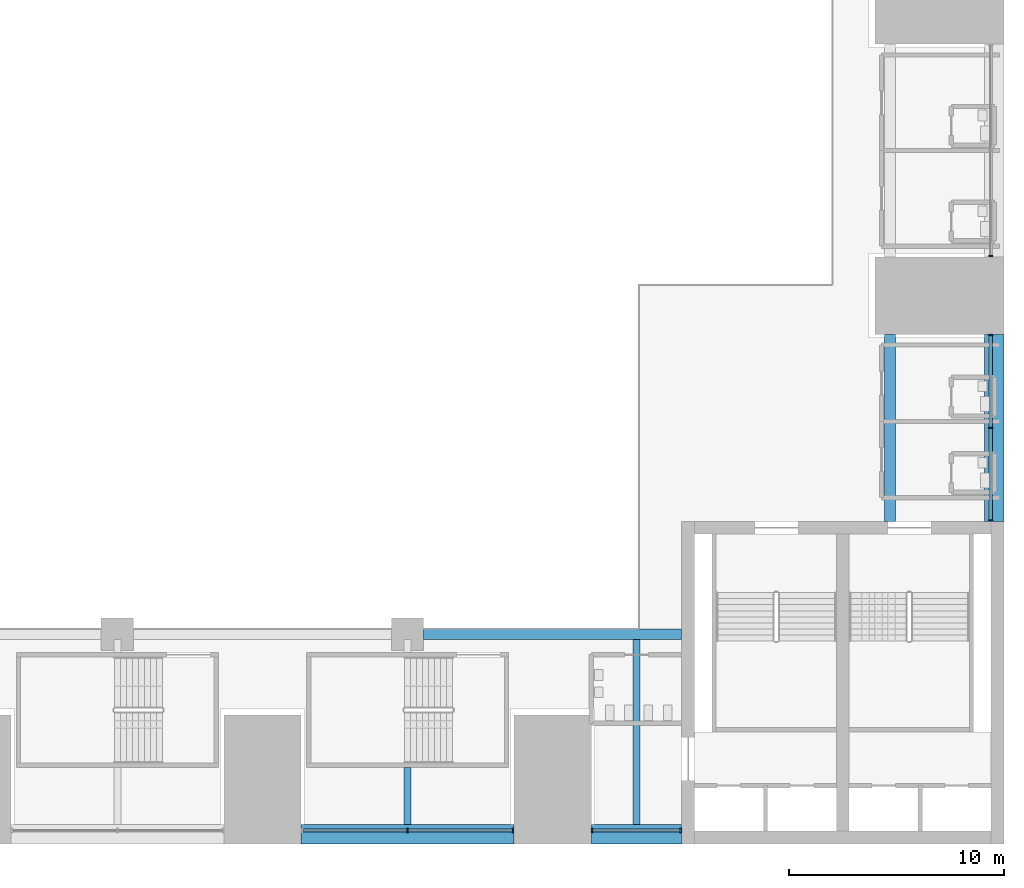
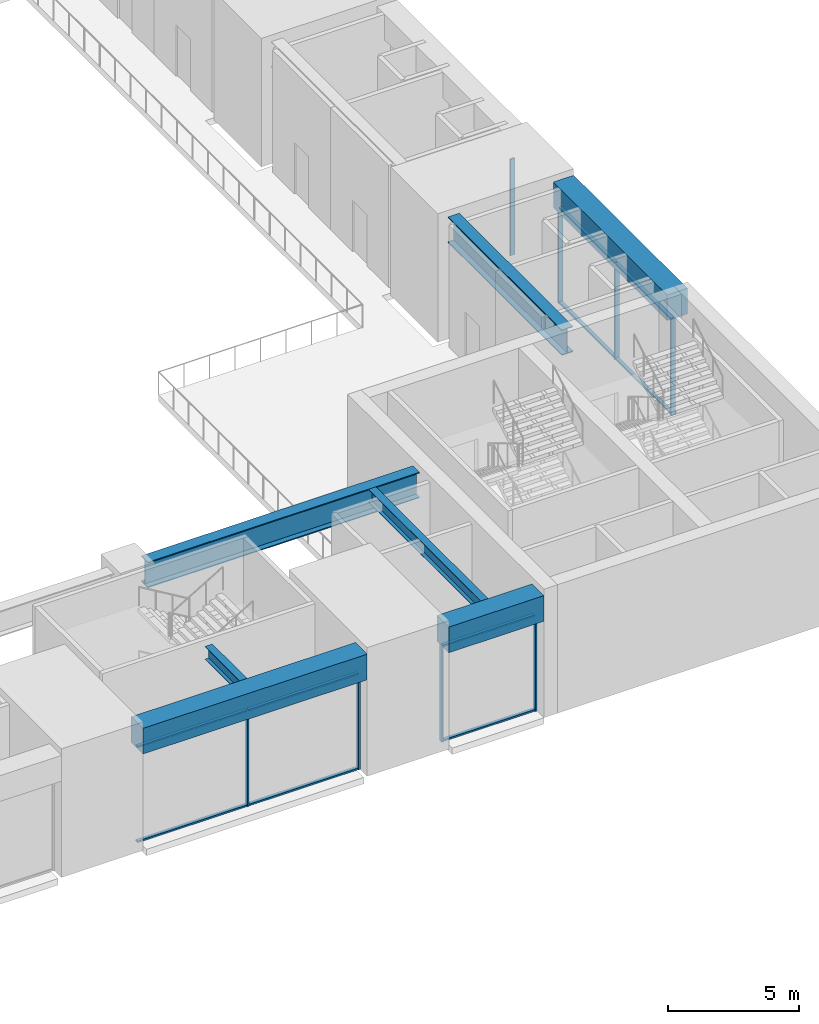
# One storey, part 6 of 43: 18 members, 7 beams, 4 elements without a shape of their own.
"""IFC4 building model written with IfcOpenShell, lengths in metres."""

from ifc_helpers import new_model, si_unit, direction, frame, origin, origin_2d, place, context, subcontext, project, spatial, rectangle, i_section, extrude, material, layer, layer_set, material_profile, profile_set, type_object, element, aggregate, save


model = new_model("IFC4")

# Units and contexts
model_context = context("Model", 3, precision=1e-05, world=origin(), true_north=direction((0.0, 1.0)))
body_context = subcontext(model_context, "Body", "Model", "MODEL_VIEW")
ifc_project = project(units=[si_unit("LENGTHUNIT", "METRE"), si_unit("AREAUNIT", "SQUARE_METRE"), si_unit("VOLUMEUNIT", "CUBIC_METRE"), si_unit("PLANEANGLEUNIT", "RADIAN"), si_unit("MASSUNIT", "GRAM", prefix="KILO")], contexts=[model_context])

# Site, building, storey
site_placement = place(None, origin())
site = spatial("IfcSite", under=ifc_project, at=site_placement, CompositionType="ELEMENT")
building_placement = place(site_placement, origin())
building = spatial("IfcBuilding", under=site, at=building_placement, Name="Corbelhall Arena Tower", CompositionType="ELEMENT")
storey_placement = place(building_placement, frame((0.0, 0.0, 25.0)))
storey = spatial("IfcBuildingStorey", under=building, at=storey_placement, Name="L03", CompositionType="ELEMENT", Elevation=25.0)

# Curtain wall, members
ifc_material_1 = material(Name="Aluminium black anodised", Category="aluminium")
ifc_layer = layer(ifc_material_1, 0.239990234375)
ifc_layer_set = layer_set([ifc_layer], Name="EV-CW4 Arena concourse glazing")
curtain_wall_type = type_object("IfcCurtainWallType", Name="EV-CW4 Arena concourse glazing", PredefinedType="NOTDEFINED", material=ifc_layer_set)
curtain_wall_1_placement = place(storey_placement, origin())
curtain_wall_1 = element("IfcCurtainWall", 1, at=curtain_wall_1_placement, inside=storey, type_object=curtain_wall_type, Name="Curtain wall CW4", PredefinedType="NOTDEFINED")
ifc_material_profile_1 = material_profile(ifc_material_1, rectangle(XDim=0.199951171875, YDim=0.074951171875, at=origin_2d()))
ifc_profile_set_1 = profile_set([ifc_material_profile_1], Name="Aluminium black anodised")
member_type_1 = type_object("IfcMemberType", Name="EV-CW4-MULLION", PredefinedType="MULLION", material=ifc_profile_set_1)
member_1_placement = place(storey_placement, frame((20.25, -38.3798828125, 0.0), z_axis=(0.0, 0.0, 1.0), x_axis=(0.0, 1.0, 0.0)))
member_1 = element("IfcMember", 2, at=member_1_placement, type_object=member_type_1, Name="CW4 mullion 2", PredefinedType="MULLION", context=body_context, shape_type="SweptSolid", body=[
    extrude(rectangle(XDim=0.199951171875, YDim=0.074951171875, at=origin_2d()), origin(), (0.0, 0.0, 1.0), 4.5),
])
member_2_placement = place(storey_placement, frame((25.16259765625, -38.3798828125, 0.0), z_axis=(0.0, 0.0, 1.0), x_axis=(0.0, 1.0, 0.0)))
member_2 = element("IfcMember", 3, at=member_2_placement, type_object=member_type_1, Name="CW4 mullion 3", PredefinedType="MULLION", context=body_context, shape_type="SweptSolid", body=[
    extrude(rectangle(XDim=0.199951171875, YDim=0.074951171875, at=origin_2d()), origin(), (0.0, 0.0, 1.0), 4.5),
])

curtain_wall_2_placement = place(storey_placement, origin())
curtain_wall_2 = element("IfcCurtainWall", 4, at=curtain_wall_2_placement, inside=storey, type_object=curtain_wall_type, Name="Curtain wall CW4A", PredefinedType="NOTDEFINED")
member_3_placement = place(storey_placement, frame((28.83740234375, -38.3798828125, 0.0), z_axis=(0.0, 0.0, 1.0), x_axis=(0.0, 1.0, 0.0)))
member_3 = element("IfcMember", 5, at=member_3_placement, type_object=member_type_1, Name="CW4A mullion 1", PredefinedType="MULLION", context=body_context, shape_type="SweptSolid", body=[
    extrude(rectangle(XDim=0.199951171875, YDim=0.074951171875, at=origin_2d()), origin(), (0.0, 0.0, 1.0), 4.5),
])
member_4_placement = place(storey_placement, frame((32.96240234375, -38.3798828125, 0.0), z_axis=(0.0, 0.0, 1.0), x_axis=(0.0, 1.0, 0.0)))
member_4 = element("IfcMember", 6, at=member_4_placement, type_object=member_type_1, Name="CW4A mullion 2", PredefinedType="MULLION", context=body_context, shape_type="SweptSolid", body=[
    extrude(rectangle(XDim=0.199951171875, YDim=0.074951171875, at=origin_2d()), origin(), (0.0, 0.0, 1.0), 4.5),
])

curtain_wall_3_placement = place(storey_placement, origin())
curtain_wall_3 = element("IfcCurtainWall", 7, at=curtain_wall_3_placement, inside=storey, type_object=curtain_wall_type, Name="Curtain wall CW4B", PredefinedType="NOTDEFINED")
member_5_placement = place(storey_placement, frame((47.3798828125, -23.96240234375, 0.0), z_axis=(0.0, 0.0, 1.0), x_axis=(-1.0, 0.0, 0.0)))
member_5 = element("IfcMember", 8, at=member_5_placement, type_object=member_type_1, Name="CW4B mullion 1", PredefinedType="MULLION", context=body_context, shape_type="SweptSolid", body=[
    extrude(rectangle(XDim=0.199951171875, YDim=0.074951171875, at=origin_2d()), origin(), (0.0, 0.0, 1.0), 4.5),
])
member_6_placement = place(storey_placement, frame((47.3798828125, -19.64990234375, 0.0), z_axis=(0.0, 0.0, 1.0), x_axis=(-1.0, 0.0, 0.0)))
member_6 = element("IfcMember", 9, at=member_6_placement, type_object=member_type_1, Name="CW4B mullion 2", PredefinedType="MULLION", context=body_context, shape_type="SweptSolid", body=[
    extrude(rectangle(XDim=0.199951171875, YDim=0.074951171875, at=origin_2d()), origin(), (0.0, 0.0, 1.0), 4.5),
])
member_7_placement = place(storey_placement, frame((47.3798828125, -15.33740234375, 0.0), z_axis=(0.0, 0.0, 1.0), x_axis=(-1.0, 0.0, 0.0)))
member_7 = element("IfcMember", 10, at=member_7_placement, type_object=member_type_1, Name="CW4B mullion 3", PredefinedType="MULLION", context=body_context, shape_type="SweptSolid", body=[
    extrude(rectangle(XDim=0.199951171875, YDim=0.074951171875, at=origin_2d()), origin(), (0.0, 0.0, 1.0), 4.5),
])

# Curtain wall, member
curtain_wall_4_placement = place(storey_placement, origin())
curtain_wall_4 = element("IfcCurtainWall", 11, at=curtain_wall_4_placement, inside=storey, type_object=curtain_wall_type, Name="Curtain wall CW4", PredefinedType="NOTDEFINED")
member_8_placement = place(storey_placement, frame((47.3798828125, -11.66259765625, 0.0), z_axis=(0.0, 0.0, 1.0), x_axis=(-1.0, 0.0, 0.0)))
member_8 = element("IfcMember", 12, at=member_8_placement, type_object=member_type_1, Name="CW4 mullion 1", PredefinedType="MULLION", context=body_context, shape_type="SweptSolid", body=[
    extrude(rectangle(XDim=0.199951171875, YDim=0.074951171875, at=origin_2d()), origin(), (0.0, 0.0, 1.0), 4.5),
])
aggregate(curtain_wall_4, [member_8])

# Member
ifc_material_profile_2 = material_profile(ifc_material_1, rectangle(XDim=0.14990234375, YDim=0.074951171875, at=origin_2d()))
ifc_profile_set_2 = profile_set([ifc_material_profile_2], Name="Aluminium black anodised")
member_type_2 = type_object("IfcMemberType", Name="EV-CW4-TRANSOM", PredefinedType="USERDEFINED", material=ifc_profile_set_2)
member_9_placement = place(storey_placement, frame((15.375, -38.3798828125, 0.03759765625), z_axis=(1.0, 0.0, 0.0), x_axis=(0.0, 1.0, 0.0)))
member_9 = element("IfcMember", 13, at=member_9_placement, type_object=member_type_2, Name="CW4 transom 1.1", ObjectType="transom", PredefinedType="USERDEFINED", context=body_context, shape_type="SweptSolid", body=[
    extrude(rectangle(XDim=0.14990234375, YDim=0.074951171875, at=origin_2d()), origin(), (0.0, 0.0, 1.0), 4.83740234375),
])

member_10_placement = place(storey_placement, frame((15.375, -38.3798828125, 4.46240234375), z_axis=(1.0, 0.0, 0.0), x_axis=(0.0, 1.0, 0.0)))
member_10 = element("IfcMember", 14, at=member_10_placement, type_object=member_type_2, Name="CW4 transom 1.2", ObjectType="transom", PredefinedType="USERDEFINED", context=body_context, shape_type="SweptSolid", body=[
    extrude(rectangle(XDim=0.14990234375, YDim=0.074951171875, at=origin_2d()), origin(), (0.0, 0.0, 1.0), 4.83740234375),
])

member_11_placement = place(storey_placement, frame((20.28759765625, -38.3798828125, 0.03759765625), z_axis=(1.0, 0.0, 0.0), x_axis=(0.0, 1.0, 0.0)))
member_11 = element("IfcMember", 15, at=member_11_placement, type_object=member_type_2, Name="CW4 transom 2.1", ObjectType="transom", PredefinedType="USERDEFINED", context=body_context, shape_type="SweptSolid", body=[
    extrude(rectangle(XDim=0.14990234375, YDim=0.074951171875, at=origin_2d()), origin(), (0.0, 0.0, 1.0), 4.83740234375),
])

member_12_placement = place(storey_placement, frame((20.28759765625, -38.3798828125, 4.46240234375), z_axis=(1.0, 0.0, 0.0), x_axis=(0.0, 1.0, 0.0)))
member_12 = element("IfcMember", 16, at=member_12_placement, type_object=member_type_2, Name="CW4 transom 2.2", ObjectType="transom", PredefinedType="USERDEFINED", context=body_context, shape_type="SweptSolid", body=[
    extrude(rectangle(XDim=0.14990234375, YDim=0.074951171875, at=origin_2d()), origin(), (0.0, 0.0, 1.0), 4.83740234375),
])

aggregate(curtain_wall_1, [member_1, member_2, member_9, member_10, member_11, member_12])

member_13_placement = place(storey_placement, frame((28.875, -38.3798828125, 0.03759765625), z_axis=(1.0, 0.0, 0.0), x_axis=(0.0, 1.0, 0.0)))
member_13 = element("IfcMember", 17, at=member_13_placement, type_object=member_type_2, Name="CW4A transom 1.1", ObjectType="transom", PredefinedType="USERDEFINED", context=body_context, shape_type="SweptSolid", body=[
    extrude(rectangle(XDim=0.14990234375, YDim=0.074951171875, at=origin_2d()), origin(), (0.0, 0.0, 1.0), 4.050048828125),
])

member_14_placement = place(storey_placement, frame((28.875, -38.3798828125, 4.46240234375), z_axis=(1.0, 0.0, 0.0), x_axis=(0.0, 1.0, 0.0)))
member_14 = element("IfcMember", 18, at=member_14_placement, type_object=member_type_2, Name="CW4A transom 1.2", ObjectType="transom", PredefinedType="USERDEFINED", context=body_context, shape_type="SweptSolid", body=[
    extrude(rectangle(XDim=0.14990234375, YDim=0.074951171875, at=origin_2d()), origin(), (0.0, 0.0, 1.0), 4.050048828125),
])

aggregate(curtain_wall_2, [member_3, member_4, member_13, member_14])

member_15_placement = place(storey_placement, frame((47.3798828125, -23.925048828125, 0.03759765625), z_axis=(0.0, 1.0, 0.0), x_axis=(-1.0, 0.0, 0.0)))
member_15 = element("IfcMember", 19, at=member_15_placement, type_object=member_type_2, Name="CW4B transom 1.1", ObjectType="transom", PredefinedType="USERDEFINED", context=body_context, shape_type="SweptSolid", body=[
    extrude(rectangle(XDim=0.14990234375, YDim=0.074951171875, at=origin_2d()), origin(), (0.0, 0.0, 1.0), 4.237548828125),
])

member_16_placement = place(storey_placement, frame((47.3798828125, -23.925048828125, 4.46240234375), z_axis=(0.0, 1.0, 0.0), x_axis=(-1.0, 0.0, 0.0)))
member_16 = element("IfcMember", 20, at=member_16_placement, type_object=member_type_2, Name="CW4B transom 1.2", ObjectType="transom", PredefinedType="USERDEFINED", context=body_context, shape_type="SweptSolid", body=[
    extrude(rectangle(XDim=0.14990234375, YDim=0.074951171875, at=origin_2d()), origin(), (0.0, 0.0, 1.0), 4.237548828125),
])

member_17_placement = place(storey_placement, frame((47.3798828125, -19.612548828125, 0.03759765625), z_axis=(0.0, 1.0, 0.0), x_axis=(-1.0, 0.0, 0.0)))
member_17 = element("IfcMember", 21, at=member_17_placement, type_object=member_type_2, Name="CW4B transom 2.1", ObjectType="transom", PredefinedType="USERDEFINED", context=body_context, shape_type="SweptSolid", body=[
    extrude(rectangle(XDim=0.14990234375, YDim=0.074951171875, at=origin_2d()), origin(), (0.0, 0.0, 1.0), 4.237548828125),
])

member_18_placement = place(storey_placement, frame((47.3798828125, -19.612548828125, 4.46240234375), z_axis=(0.0, 1.0, 0.0), x_axis=(-1.0, 0.0, 0.0)))
member_18 = element("IfcMember", 22, at=member_18_placement, type_object=member_type_2, Name="CW4B transom 2.2", ObjectType="transom", PredefinedType="USERDEFINED", context=body_context, shape_type="SweptSolid", body=[
    extrude(rectangle(XDim=0.14990234375, YDim=0.074951171875, at=origin_2d()), origin(), (0.0, 0.0, 1.0), 4.237548828125),
])

aggregate(curtain_wall_3, [member_5, member_6, member_7, member_15, member_16, member_17, member_18])

# Beams
ifc_material_2 = material(Name="Steel ASTM A992 Gr50", Category="steel")
ifc_material_profile_3 = material_profile(ifc_material_2, i_section(OverallWidth=0.323974609375, OverallDepth=0.611083984375, WebThickness=0.0126953125, FlangeThickness=0.01904296875, at=origin_2d()))
ifc_profile_set_3 = profile_set([ifc_material_profile_3], Name="Steel ASTM A992 Gr50")
beam_type_1 = type_object("IfcBeamType", Name="PO-BEAM-W24X104", PredefinedType="BEAM", material=ifc_profile_set_3)
beam_1_placement = place(storey_placement, frame((20.25, -35.449951171875, 5.39453125), z_axis=(0.0, -1.0, 0.0), x_axis=(1.0, 0.0, 0.0)))
element("IfcBeam", 23, at=beam_1_placement, inside=storey, type_object=beam_type_1, Name="CONCOURSE BEAM", PredefinedType="BEAM", context=body_context, shape_type="SweptSolid", body=[
    extrude(i_section(OverallWidth=0.323974609375, OverallDepth=0.611083984375, WebThickness=0.0126953125, FlangeThickness=0.01904296875, at=origin_2d()), origin(), (0.0, 0.0, 1.0), 2.650146484375),
])
beam_2_placement = place(storey_placement, frame((30.89990234375, -29.5, 5.39453125), z_axis=(0.0, -1.0, 0.0), x_axis=(1.0, 0.0, 0.0)))
element("IfcBeam", 24, at=beam_2_placement, inside=storey, type_object=beam_type_1, Name="CONCOURSE BEAM", PredefinedType="BEAM", context=body_context, shape_type="SweptSolid", body=[
    extrude(i_section(OverallWidth=0.323974609375, OverallDepth=0.611083984375, WebThickness=0.0126953125, FlangeThickness=0.01904296875, at=origin_2d()), origin(), (0.0, 0.0, 1.0), 8.60009765625),
])
ifc_material_3 = material(Name="Steel ASTM A572 Gr50", Category="steel")
ifc_material_profile_4 = material_profile(ifc_material_3, i_section(OverallWidth=0.5, OverallDepth=1.199951171875, WebThickness=0.02490234375, FlangeThickness=0.044921875, at=origin_2d()))
ifc_profile_set_4 = profile_set([ifc_material_profile_4], Name="Steel ASTM A572 Gr50")
beam_type_2 = type_object("IfcBeamType", Name="PO-GIRDER-PG1200X500X25X45", PredefinedType="BEAM", material=ifc_profile_set_4)
beam_3_placement = place(storey_placement, frame((21.0, -29.25, 5.10009765625), z_axis=(1.0, 0.0, 0.0), x_axis=(0.0, 1.0, 0.0)))
element("IfcBeam", 25, at=beam_3_placement, inside=storey, type_object=beam_type_2, Name="RING GIRDER", PredefinedType="BEAM", context=body_context, shape_type="SweptSolid", body=[
    extrude(i_section(OverallWidth=0.5, OverallDepth=1.199951171875, WebThickness=0.02490234375, FlangeThickness=0.044921875, at=origin_2d()), origin(), (0.0, 0.0, 1.0), 12.0),
])
beam_4_placement = place(storey_placement, frame((42.699951171875, -24.0, 5.10009765625), z_axis=(0.0, 1.0, 0.0), x_axis=(-1.0, 0.0, 0.0)))
element("IfcBeam", 26, at=beam_4_placement, inside=storey, type_object=beam_type_2, Name="INNER END GIRDER", PredefinedType="BEAM", context=body_context, shape_type="SweptSolid", body=[
    extrude(i_section(OverallWidth=0.5, OverallDepth=1.199951171875, WebThickness=0.02490234375, FlangeThickness=0.044921875, at=origin_2d()), origin(), (0.0, 0.0, 1.0), 8.699951171875),
])
ifc_material_4 = material(Name="Concrete C80/95", Category="concrete")
ifc_material_profile_5 = material_profile(ifc_material_4, rectangle(XDim=0.89990234375, YDim=1.199951171875, at=origin_2d()))
ifc_profile_set_5 = profile_set([ifc_material_profile_5], Name="Concrete C80/95")
beam_type_3 = type_object("IfcBeamType", Name="PO-RING-BEAM", PredefinedType="BEAM", material=ifc_profile_set_5)
beam_5_placement = place(storey_placement, frame((15.300048828125, -38.550048828125, 5.10009765625), z_axis=(1.0, 0.0, 0.0), x_axis=(0.0, 1.0, 0.0)))
element("IfcBeam", 27, at=beam_5_placement, inside=storey, type_object=beam_type_3, Name="RING GIRDER L04 S5", PredefinedType="BEAM", context=body_context, shape_type="SweptSolid", body=[
    extrude(rectangle(XDim=0.89990234375, YDim=1.199951171875, at=origin_2d()), origin(), (0.0, 0.0, 1.0), 9.89990234375),
])
beam_6_placement = place(storey_placement, frame((28.800048828125, -38.550048828125, 5.10009765625), z_axis=(1.0, 0.0, 0.0), x_axis=(0.0, 1.0, 0.0)))
element("IfcBeam", 28, at=beam_6_placement, inside=storey, type_object=beam_type_3, Name="RING GIRDER L04 S6", PredefinedType="BEAM", context=body_context, shape_type="SweptSolid", body=[
    extrude(rectangle(XDim=0.89990234375, YDim=1.199951171875, at=origin_2d()), origin(), (0.0, 0.0, 1.0), 4.199951171875),
])
beam_7_placement = place(storey_placement, frame((47.550048828125, -24.0, 5.10009765625), z_axis=(0.0, 1.0, 0.0), x_axis=(-1.0, 0.0, 0.0)))
element("IfcBeam", 29, at=beam_7_placement, inside=storey, type_object=beam_type_3, Name="RING GIRDER L04 E1", PredefinedType="BEAM", context=body_context, shape_type="SweptSolid", body=[
    extrude(rectangle(XDim=0.89990234375, YDim=1.199951171875, at=origin_2d()), origin(), (0.0, 0.0, 1.0), 8.699951171875),
])

save(model, "model.ifc")
